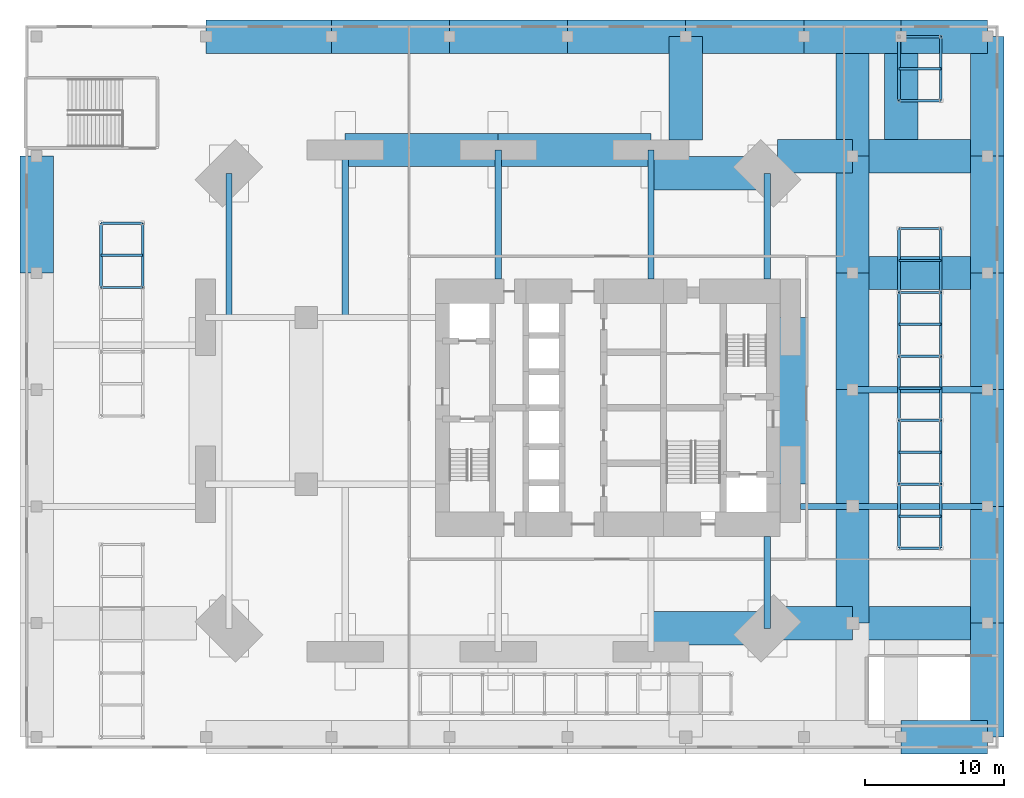
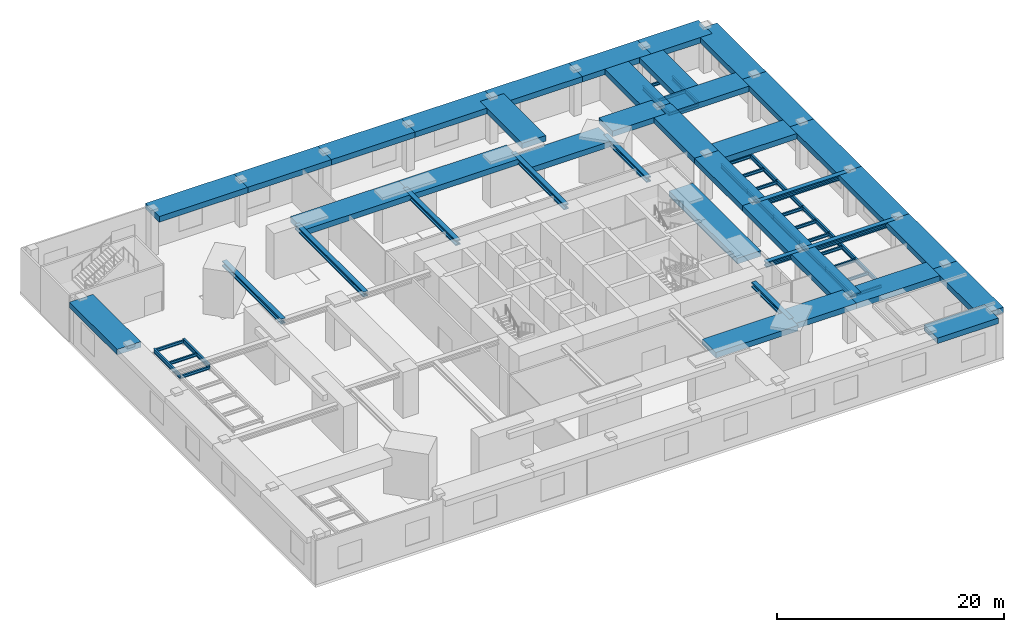
# One storey, part 2 of 17: 72 beams.
"""IFC4 building model written with IfcOpenShell, lengths in metres."""

from ifc_helpers import new_model, si_unit, direction, frame, origin, origin_2d, place, context, subcontext, project, spatial, rectangle, i_section, extrude, material, material_profile, profile_set, type_object, element, save


model = new_model("IFC4")

# Units and contexts
model_context = context("Model", 3, precision=1e-05, world=origin(), true_north=direction((0.0, 1.0)))
body_context = subcontext(model_context, "Body", "Model", "MODEL_VIEW")
ifc_project = project(units=[si_unit("LENGTHUNIT", "METRE"), si_unit("AREAUNIT", "SQUARE_METRE"), si_unit("VOLUMEUNIT", "CUBIC_METRE"), si_unit("PLANEANGLEUNIT", "RADIAN"), si_unit("MASSUNIT", "GRAM", prefix="KILO")], contexts=[model_context])

# Site, building, storey
site_placement = place(None, origin())
site = spatial("IfcSite", under=ifc_project, at=site_placement, CompositionType="ELEMENT")
building_placement = place(site_placement, origin())
building = spatial("IfcBuilding", under=site, at=building_placement, Name="Jalousie Tower", CompositionType="ELEMENT")
storey_placement = place(building_placement, frame((0.0, 0.0, 16.0)))
storey = spatial("IfcBuildingStorey", under=building, at=storey_placement, Name="L03", CompositionType="ELEMENT", Elevation=16.0)

# Beams
ifc_material_1 = material(Name="Steel ASTM A992 Grade 50", Category="steel")
ifc_material_profile_1 = material_profile(ifc_material_1, i_section(OverallWidth=0.45458984375, OverallDepth=0.569091796875, WebThickness=0.077880859375, FlangeThickness=0.124755859375, at=origin_2d()), Name="W14X730")
ifc_profile_set_1 = profile_set([ifc_material_profile_1], Name="Steel ASTM A992 Grade 50")
beam_type_1 = type_object("IfcBeamType", Name="LEAN COLLECTOR W14X730", PredefinedType="BEAM", material=ifc_profile_set_1)
for number, where, z_axis, x_axis, name in (
    (1, (24.0, 37.050048828125, 4.435546875), (0.0, -1.0, 0.0), (1.0, 0.0, 0.0), "Lean collector under L04"),
    (2, (35.0, 37.050048828125, 4.435546875), (0.0, -1.0, 0.0), (1.0, 0.0, 0.0), "Lean collector under L04"),
):
    element("IfcBeam", number, at=place(storey_placement, frame(where, z_axis=z_axis, x_axis=x_axis)), inside=storey, type_object=beam_type_1, Name=name, PredefinedType="BEAM", context=body_context, shape_type="SweptSolid", body=[
        extrude(i_section(OverallWidth=0.45458984375, OverallDepth=0.569091796875, WebThickness=0.077880859375, FlangeThickness=0.124755859375, at=origin_2d()), origin(), (0.0, 0.0, 1.0), 9.300048828125),
    ])
beam_1_placement = place(storey_placement, frame((43.36865234375, 2.63134765625, 4.435546875), z_axis=(0.0, 1.0, 0.0), x_axis=(-1.0, 0.0, 0.0)))
element("IfcBeam", 3, at=beam_1_placement, inside=storey, type_object=beam_type_1, Name="Lean collector under L04", PredefinedType="BEAM", context=body_context, shape_type="SweptSolid", body=[
    extrude(i_section(OverallWidth=0.45458984375, OverallDepth=0.569091796875, WebThickness=0.077880859375, FlangeThickness=0.124755859375, at=origin_2d()), origin(), (0.0, 0.0, 1.0), 6.61865234375),
])
beam_2_placement = place(storey_placement, frame((43.36865234375, 35.36865234375, 4.435546875), z_axis=(0.0, -1.0, 0.0), x_axis=(1.0, 0.0, 0.0)))
element("IfcBeam", 4, at=beam_2_placement, inside=storey, type_object=beam_type_1, Name="Lean collector under L04", PredefinedType="BEAM", context=body_context, shape_type="SweptSolid", body=[
    extrude(i_section(OverallWidth=0.45458984375, OverallDepth=0.569091796875, WebThickness=0.077880859375, FlangeThickness=0.124755859375, at=origin_2d()), origin(), (0.0, 0.0, 1.0), 7.61865234375),
])
beam_3_placement = place(storey_placement, frame((4.63134765625, 35.36865234375, 4.435546875), z_axis=(0.0, -1.0, 0.0), x_axis=(1.0, 0.0, 0.0)))
element("IfcBeam", 5, at=beam_3_placement, inside=storey, type_object=beam_type_1, Name="Lean collector under L04", PredefinedType="BEAM", context=body_context, shape_type="SweptSolid", body=[
    extrude(i_section(OverallWidth=0.45458984375, OverallDepth=0.569091796875, WebThickness=0.077880859375, FlangeThickness=0.124755859375, at=origin_2d()), origin(), (0.0, 0.0, 1.0), 10.36865234375),
])
beam_4_placement = place(storey_placement, frame((13.0, 37.050048828125, 4.435546875), z_axis=(0.0, -1.0, 0.0), x_axis=(1.0, 0.0, 0.0)))
element("IfcBeam", 6, at=beam_4_placement, inside=storey, type_object=beam_type_1, Name="Lean collector under L04", PredefinedType="BEAM", context=body_context, shape_type="SweptSolid", body=[
    extrude(i_section(OverallWidth=0.45458984375, OverallDepth=0.569091796875, WebThickness=0.077880859375, FlangeThickness=0.124755859375, at=origin_2d()), origin(), (0.0, 0.0, 1.0), 12.050048828125),
])
beam_5_placement = place(storey_placement, frame((49.5, 11.39990234375, 4.435546875), z_axis=(1.0, 0.0, 0.0), x_axis=(0.0, 1.0, 0.0)))
element("IfcBeam", 7, at=beam_5_placement, inside=storey, type_object=beam_type_1, Name="Lean collector under L04", PredefinedType="BEAM", context=body_context, shape_type="SweptSolid", body=[
    extrude(i_section(OverallWidth=0.45458984375, OverallDepth=0.569091796875, WebThickness=0.077880859375, FlangeThickness=0.124755859375, at=origin_2d()), origin(), (0.0, 0.0, 1.0), 9.699951171875),
])
beam_6_placement = place(storey_placement, frame((49.5, 11.39990234375, 4.435546875), z_axis=(-1.0, 0.0, 0.0), x_axis=(0.0, -1.0, 0.0)))
element("IfcBeam", 8, at=beam_6_placement, inside=storey, type_object=beam_type_1, Name="Lean collector under L04", PredefinedType="BEAM", context=body_context, shape_type="SweptSolid", body=[
    extrude(i_section(OverallWidth=0.45458984375, OverallDepth=0.569091796875, WebThickness=0.077880859375, FlangeThickness=0.124755859375, at=origin_2d()), origin(), (0.0, 0.0, 1.0), 3.72509765625),
])
beam_7_placement = place(storey_placement, frame((49.5, 19.800048828125, 4.435546875), z_axis=(1.0, 0.0, 0.0), x_axis=(0.0, 1.0, 0.0)))
element("IfcBeam", 9, at=beam_7_placement, inside=storey, type_object=beam_type_1, Name="Lean collector under L04", PredefinedType="BEAM", context=body_context, shape_type="SweptSolid", body=[
    extrude(i_section(OverallWidth=0.45458984375, OverallDepth=0.569091796875, WebThickness=0.077880859375, FlangeThickness=0.124755859375, at=origin_2d()), origin(), (0.0, 0.0, 1.0), 9.699951171875),
])
ifc_material_2 = material(Name="Steel ASTM A992 Grade 50", Category="steel")
ifc_material_profile_2 = material_profile(ifc_material_2, i_section(OverallWidth=0.164794921875, OverallDepth=0.309814453125, WebThickness=0.005859375, FlangeThickness=0.009765625, at=origin_2d()), Name="W12X26")
ifc_profile_set_2 = profile_set([ifc_material_profile_2], Name="Steel ASTM A992 Grade 50")
beam_type_2 = type_object("IfcBeamType", Name="PLANT SUPPORT BEAM W12X26", PredefinedType="BEAM", material=ifc_profile_set_2)
for number, where, z_axis, x_axis, name in (
    (10, (-4.574951171875, 27.155517578125, 0.35498046875), (1.0, 0.0, 0.0), (0.0, 1.0, 0.0), "Plant support cross beam Mechanical plant room L03"),
    (11, (-4.574951171875, 29.466796875, 0.35498046875), (1.0, 0.0, 0.0), (0.0, 1.0, 0.0), "Plant support cross beam Mechanical plant room L03"),
    (12, (-4.574951171875, 31.77783203125, 0.35498046875), (1.0, 0.0, 0.0), (0.0, 1.0, 0.0), "Plant support cross beam Mechanical plant room L03"),
    (13, (52.85009765625, 8.39990234375, 0.35498046875), (1.0, 0.0, 0.0), (0.0, 1.0, 0.0), "Plant support cross beam Air handling plant room L03"),
    (14, (52.85009765625, 10.699951171875, 0.35498046875), (1.0, 0.0, 0.0), (0.0, 1.0, 0.0), "Plant support cross beam Air handling plant room L03"),
    (15, (52.85009765625, 13.0, 0.35498046875), (1.0, 0.0, 0.0), (0.0, 1.0, 0.0), "Plant support cross beam Air handling plant room L03"),
    (16, (52.85009765625, 15.300048828125, 0.35498046875), (1.0, 0.0, 0.0), (0.0, 1.0, 0.0), "Plant support cross beam Air handling plant room L03"),
    (17, (52.85009765625, 17.60009765625, 0.35498046875), (1.0, 0.0, 0.0), (0.0, 1.0, 0.0), "Plant support cross beam Air handling plant room L03"),
    (18, (52.85009765625, 19.89990234375, 0.35498046875), (1.0, 0.0, 0.0), (0.0, 1.0, 0.0), "Plant support cross beam Air handling plant room L03"),
    (19, (52.85009765625, 22.199951171875, 0.35498046875), (1.0, 0.0, 0.0), (0.0, 1.0, 0.0), "Plant support cross beam Air handling plant room L03"),
    (20, (52.85009765625, 24.5, 0.35498046875), (1.0, 0.0, 0.0), (0.0, 1.0, 0.0), "Plant support cross beam Air handling plant room L03"),
    (21, (52.85009765625, 26.800048828125, 0.35498046875), (1.0, 0.0, 0.0), (0.0, 1.0, 0.0), "Plant support cross beam Air handling plant room L03"),
    (22, (52.85009765625, 29.10009765625, 0.35498046875), (1.0, 0.0, 0.0), (0.0, 1.0, 0.0), "Plant support cross beam Air handling plant room L03"),
    (23, (52.85009765625, 31.39990234375, 0.35498046875), (1.0, 0.0, 0.0), (0.0, 1.0, 0.0), "Plant support cross beam Air handling plant room L03"),
    (24, (52.85009765625, 40.60009765625, 0.35498046875), (1.0, 0.0, 0.0), (0.0, 1.0, 0.0), "Plant support cross beam Air handling plant room L03"),
    (25, (52.85009765625, 42.89990234375, 0.35498046875), (1.0, 0.0, 0.0), (0.0, 1.0, 0.0), "Plant support cross beam Air handling plant room L03"),
    (26, (52.85009765625, 45.199951171875, 0.35498046875), (1.0, 0.0, 0.0), (0.0, 1.0, 0.0), "Plant support cross beam Air handling plant room L03"),
):
    element("IfcBeam", number, at=place(storey_placement, frame(where, z_axis=z_axis, x_axis=x_axis)), inside=storey, type_object=beam_type_2, Name=name, PredefinedType="BEAM", context=body_context, shape_type="SweptSolid", body=[
        extrude(i_section(OverallWidth=0.164794921875, OverallDepth=0.309814453125, WebThickness=0.005859375, FlangeThickness=0.009765625, at=origin_2d()), origin(), (0.0, 0.0, 1.0), 3.0),
    ])
ifc_material_3 = material(Name="Steel ASTM A992 Grade 50", Category="steel")
ifc_material_profile_3 = material_profile(ifc_material_3, i_section(OverallWidth=0.1904296875, OverallDepth=0.457275390625, WebThickness=0.009033203125, FlangeThickness=0.014404296875, at=origin_2d()), Name="W18X50")
ifc_profile_set_3 = profile_set([ifc_material_profile_3], Name="Steel ASTM A992 Grade 50")
beam_type_3 = type_object("IfcBeamType", Name="PLANT SUPPORT BEAM W18X50", PredefinedType="BEAM", material=ifc_profile_set_3)
for number, where, z_axis, x_axis, name in (
    (27, (-4.574951171875, 27.155517578125, 0.4287109375), (0.0, 1.0, 0.0), (-1.0, 0.0, 0.0), "Plant support runner Mechanical plant room L03"),
    (28, (-1.574951171875, 27.155517578125, 0.4287109375), (0.0, 1.0, 0.0), (-1.0, 0.0, 0.0), "Plant support runner Mechanical plant room L03"),
):
    element("IfcBeam", number, at=place(storey_placement, frame(where, z_axis=z_axis, x_axis=x_axis)), inside=storey, type_object=beam_type_3, Name=name, PredefinedType="BEAM", context=body_context, shape_type="SweptSolid", body=[
        extrude(i_section(OverallWidth=0.1904296875, OverallDepth=0.457275390625, WebThickness=0.009033203125, FlangeThickness=0.014404296875, at=origin_2d()), origin(), (0.0, 0.0, 1.0), 4.622314453125),
    ])
for number, where, z_axis, x_axis, name in (
    (29, (52.85009765625, 8.39990234375, 0.4287109375), (0.0, 1.0, 0.0), (-1.0, 0.0, 0.0), "Plant support runner Air handling plant room L03"),
    (30, (52.85009765625, 13.0, 0.4287109375), (0.0, 1.0, 0.0), (-1.0, 0.0, 0.0), "Plant support runner Air handling plant room L03"),
):
    element("IfcBeam", number, at=place(storey_placement, frame(where, z_axis=z_axis, x_axis=x_axis)), inside=storey, type_object=beam_type_3, Name=name, PredefinedType="BEAM", context=body_context, shape_type="SweptSolid", body=[
        extrude(i_section(OverallWidth=0.1904296875, OverallDepth=0.457275390625, WebThickness=0.009033203125, FlangeThickness=0.014404296875, at=origin_2d()), origin(), (0.0, 0.0, 1.0), 4.60009765625),
    ])
beam_8_placement = place(storey_placement, frame((52.85009765625, 17.60009765625, 0.4287109375), z_axis=(0.0, 1.0, 0.0), x_axis=(-1.0, 0.0, 0.0)))
element("IfcBeam", 31, at=beam_8_placement, inside=storey, type_object=beam_type_3, Name="Plant support runner Air handling plant room L03", PredefinedType="BEAM", context=body_context, shape_type="SweptSolid", body=[
    extrude(i_section(OverallWidth=0.1904296875, OverallDepth=0.457275390625, WebThickness=0.009033203125, FlangeThickness=0.014404296875, at=origin_2d()), origin(), (0.0, 0.0, 1.0), 4.599853515625),
])
beam_9_placement = place(storey_placement, frame((52.85009765625, 22.199951171875, 0.4287109375), z_axis=(0.0, 1.0, 0.0), x_axis=(-1.0, 0.0, 0.0)))
element("IfcBeam", 32, at=beam_9_placement, inside=storey, type_object=beam_type_3, Name="Plant support runner Air handling plant room L03", PredefinedType="BEAM", context=body_context, shape_type="SweptSolid", body=[
    extrude(i_section(OverallWidth=0.1904296875, OverallDepth=0.457275390625, WebThickness=0.009033203125, FlangeThickness=0.014404296875, at=origin_2d()), origin(), (0.0, 0.0, 1.0), 4.60009765625),
])
beam_10_placement = place(storey_placement, frame((52.85009765625, 26.800048828125, 0.4287109375), z_axis=(0.0, 1.0, 0.0), x_axis=(-1.0, 0.0, 0.0)))
element("IfcBeam", 33, at=beam_10_placement, inside=storey, type_object=beam_type_3, Name="Plant support runner Air handling plant room L03", PredefinedType="BEAM", context=body_context, shape_type="SweptSolid", body=[
    extrude(i_section(OverallWidth=0.1904296875, OverallDepth=0.457275390625, WebThickness=0.009033203125, FlangeThickness=0.014404296875, at=origin_2d()), origin(), (0.0, 0.0, 1.0), 4.599853515625),
])
for number, where, z_axis, x_axis, name in (
    (34, (55.85009765625, 8.39990234375, 0.4287109375), (0.0, 1.0, 0.0), (-1.0, 0.0, 0.0), "Plant support runner Air handling plant room L03"),
    (35, (55.85009765625, 13.0, 0.4287109375), (0.0, 1.0, 0.0), (-1.0, 0.0, 0.0), "Plant support runner Air handling plant room L03"),
):
    element("IfcBeam", number, at=place(storey_placement, frame(where, z_axis=z_axis, x_axis=x_axis)), inside=storey, type_object=beam_type_3, Name=name, PredefinedType="BEAM", context=body_context, shape_type="SweptSolid", body=[
        extrude(i_section(OverallWidth=0.1904296875, OverallDepth=0.457275390625, WebThickness=0.009033203125, FlangeThickness=0.014404296875, at=origin_2d()), origin(), (0.0, 0.0, 1.0), 4.60009765625),
    ])
beam_11_placement = place(storey_placement, frame((55.85009765625, 17.60009765625, 0.4287109375), z_axis=(0.0, 1.0, 0.0), x_axis=(-1.0, 0.0, 0.0)))
element("IfcBeam", 36, at=beam_11_placement, inside=storey, type_object=beam_type_3, Name="Plant support runner Air handling plant room L03", PredefinedType="BEAM", context=body_context, shape_type="SweptSolid", body=[
    extrude(i_section(OverallWidth=0.1904296875, OverallDepth=0.457275390625, WebThickness=0.009033203125, FlangeThickness=0.014404296875, at=origin_2d()), origin(), (0.0, 0.0, 1.0), 4.599853515625),
])
beam_12_placement = place(storey_placement, frame((55.85009765625, 22.199951171875, 0.4287109375), z_axis=(0.0, 1.0, 0.0), x_axis=(-1.0, 0.0, 0.0)))
element("IfcBeam", 37, at=beam_12_placement, inside=storey, type_object=beam_type_3, Name="Plant support runner Air handling plant room L03", PredefinedType="BEAM", context=body_context, shape_type="SweptSolid", body=[
    extrude(i_section(OverallWidth=0.1904296875, OverallDepth=0.457275390625, WebThickness=0.009033203125, FlangeThickness=0.014404296875, at=origin_2d()), origin(), (0.0, 0.0, 1.0), 4.60009765625),
])
for number, where, z_axis, x_axis, name in (
    (38, (55.85009765625, 26.800048828125, 0.4287109375), (0.0, 1.0, 0.0), (-1.0, 0.0, 0.0), "Plant support runner Air handling plant room L03"),
    (39, (52.85009765625, 40.60009765625, 0.4287109375), (0.0, 1.0, 0.0), (-1.0, 0.0, 0.0), "Plant support runner Air handling plant room L03"),
    (40, (55.85009765625, 40.60009765625, 0.4287109375), (0.0, 1.0, 0.0), (-1.0, 0.0, 0.0), "Plant support runner Air handling plant room L03"),
):
    element("IfcBeam", number, at=place(storey_placement, frame(where, z_axis=z_axis, x_axis=x_axis)), inside=storey, type_object=beam_type_3, Name=name, PredefinedType="BEAM", context=body_context, shape_type="SweptSolid", body=[
        extrude(i_section(OverallWidth=0.1904296875, OverallDepth=0.457275390625, WebThickness=0.009033203125, FlangeThickness=0.014404296875, at=origin_2d()), origin(), (0.0, 0.0, 1.0), 4.599853515625),
    ])
ifc_material_4 = material(Name="Concrete f'c 40 MPa", Category="concrete")
ifc_material_profile_4 = material_profile(ifc_material_4, rectangle(XDim=2.39990234375, YDim=0.60009765625, at=origin_2d()), Name="RC 2400x600")
ifc_profile_set_4 = profile_set([ifc_material_profile_4], Name="Concrete f'c 40 MPa")
beam_type_4 = type_object("IfcBeamType", Name="RC BEAM 2400x600", PredefinedType="BEAM", material=ifc_profile_set_4)
beam_13_placement = place(storey_placement, frame((45.050048828125, 13.0, 4.419921875), z_axis=(0.0, 1.0, 0.0), x_axis=(-1.0, 0.0, 0.0)))
element("IfcBeam", 41, at=beam_13_placement, inside=storey, type_object=beam_type_4, Name="Floor band beam under L04", PredefinedType="BEAM", context=body_context, shape_type="SweptSolid", body=[
    extrude(rectangle(XDim=2.39990234375, YDim=0.60009765625, at=origin_2d()), origin(), (0.0, 0.0, 1.0), 12.0),
])
for number, where, z_axis, x_axis, name in (
    (42, (35.0, 37.050048828125, 4.419921875), (-1.0, 0.0, 0.0), (0.0, -1.0, 0.0), "Floor band beam under L04"),
    (43, (24.0, 37.050048828125, 4.419921875), (-1.0, 0.0, 0.0), (0.0, -1.0, 0.0), "Floor band beam under L04"),
):
    element("IfcBeam", number, at=place(storey_placement, frame(where, z_axis=z_axis, x_axis=x_axis)), inside=storey, type_object=beam_type_4, Name=name, PredefinedType="BEAM", context=body_context, shape_type="SweptSolid", body=[
        extrude(rectangle(XDim=2.39990234375, YDim=0.60009765625, at=origin_2d()), origin(), (0.0, 0.0, 1.0), 11.0),
    ])
for number, where, z_axis, x_axis, name in (
    (44, (43.36865234375, 2.63134765625, 4.419921875), (-1.0, 0.0, 0.0), (0.0, -1.0, 0.0), "Floor band beam under L04"),
    (45, (43.36865234375, 35.36865234375, 4.419921875), (-1.0, 0.0, 0.0), (0.0, -1.0, 0.0), "Floor band beam under L04"),
):
    element("IfcBeam", number, at=place(storey_placement, frame(where, z_axis=z_axis, x_axis=x_axis)), inside=storey, type_object=beam_type_4, Name=name, PredefinedType="BEAM", context=body_context, shape_type="SweptSolid", body=[
        extrude(rectangle(XDim=2.39990234375, YDim=0.60009765625, at=origin_2d()), origin(), (0.0, 0.0, 1.0), 8.36865234375),
    ])
beam_14_placement = place(storey_placement, frame((-9.199951171875, 28.199951171875, 4.419921875), z_axis=(0.0, 1.0, 0.0), x_axis=(-1.0, 0.0, 0.0)))
element("IfcBeam", 46, at=beam_14_placement, inside=storey, type_object=beam_type_4, Name="Floor band beam under L04", PredefinedType="BEAM", context=body_context, shape_type="SweptSolid", body=[
    extrude(rectangle(XDim=2.39990234375, YDim=0.60009765625, at=origin_2d()), origin(), (0.0, 0.0, 1.0), 8.400146484375),
])
beam_15_placement = place(storey_placement, frame((3.0, 45.199951171875, 4.419921875), z_axis=(1.0, 0.0, 0.0), x_axis=(0.0, 1.0, 0.0)))
element("IfcBeam", 47, at=beam_15_placement, inside=storey, type_object=beam_type_4, Name="Floor band beam under L04", PredefinedType="BEAM", context=body_context, shape_type="SweptSolid", body=[
    extrude(rectangle(XDim=2.39990234375, YDim=0.60009765625, at=origin_2d()), origin(), (0.0, 0.0, 1.0), 9.0),
])
for number, where, z_axis, x_axis, name in (
    (48, (12.0, 45.199951171875, 4.419921875), (1.0, 0.0, 0.0), (0.0, 1.0, 0.0), "Floor band beam under L04"),
    (49, (20.5, 45.199951171875, 4.419921875), (1.0, 0.0, 0.0), (0.0, 1.0, 0.0), "Floor band beam under L04"),
    (50, (29.0, 45.199951171875, 4.419921875), (1.0, 0.0, 0.0), (0.0, 1.0, 0.0), "Floor band beam under L04"),
    (51, (37.5, 45.199951171875, 4.419921875), (1.0, 0.0, 0.0), (0.0, 1.0, 0.0), "Floor band beam under L04"),
):
    element("IfcBeam", number, at=place(storey_placement, frame(where, z_axis=z_axis, x_axis=x_axis)), inside=storey, type_object=beam_type_4, Name=name, PredefinedType="BEAM", context=body_context, shape_type="SweptSolid", body=[
        extrude(rectangle(XDim=2.39990234375, YDim=0.60009765625, at=origin_2d()), origin(), (0.0, 0.0, 1.0), 8.5),
    ])
beam_16_placement = place(storey_placement, frame((46.0, 45.199951171875, 4.419921875), z_axis=(1.0, 0.0, 0.0), x_axis=(0.0, 1.0, 0.0)))
element("IfcBeam", 52, at=beam_16_placement, inside=storey, type_object=beam_type_4, Name="Floor band beam under L04", PredefinedType="BEAM", context=body_context, shape_type="SweptSolid", body=[
    extrude(rectangle(XDim=2.39990234375, YDim=0.60009765625, at=origin_2d()), origin(), (0.0, 0.0, 1.0), 7.0),
])
beam_17_placement = place(storey_placement, frame((49.5, 3.0, 4.419921875), z_axis=(1.0, 0.0, 0.0), x_axis=(0.0, 1.0, 0.0)))
element("IfcBeam", 53, at=beam_17_placement, inside=storey, type_object=beam_type_4, Name="Floor band beam under L04", PredefinedType="BEAM", context=body_context, shape_type="SweptSolid", body=[
    extrude(rectangle(XDim=2.39990234375, YDim=0.60009765625, at=origin_2d()), origin(), (0.0, 0.0, 1.0), 9.699951171875),
])
beam_18_placement = place(storey_placement, frame((49.5, 3.0, 4.419921875), z_axis=(0.0, 1.0, 0.0), x_axis=(-1.0, 0.0, 0.0)))
element("IfcBeam", 54, at=beam_18_placement, inside=storey, type_object=beam_type_4, Name="Floor band beam under L04", PredefinedType="BEAM", context=body_context, shape_type="SweptSolid", body=[
    extrude(rectangle(XDim=2.39990234375, YDim=0.60009765625, at=origin_2d()), origin(), (0.0, 0.0, 1.0), 8.39990234375),
])
beam_19_placement = place(storey_placement, frame((49.5, 11.39990234375, 4.419921875), z_axis=(0.0, 1.0, 0.0), x_axis=(-1.0, 0.0, 0.0)))
element("IfcBeam", 55, at=beam_19_placement, inside=storey, type_object=beam_type_4, Name="Floor band beam under L04", PredefinedType="BEAM", context=body_context, shape_type="SweptSolid", body=[
    extrude(rectangle(XDim=2.39990234375, YDim=0.60009765625, at=origin_2d()), origin(), (0.0, 0.0, 1.0), 8.400146484375),
])
beam_20_placement = place(storey_placement, frame((49.5, 19.800048828125, 4.419921875), z_axis=(0.0, 1.0, 0.0), x_axis=(-1.0, 0.0, 0.0)))
element("IfcBeam", 56, at=beam_20_placement, inside=storey, type_object=beam_type_4, Name="Floor band beam under L04", PredefinedType="BEAM", context=body_context, shape_type="SweptSolid", body=[
    extrude(rectangle(XDim=2.39990234375, YDim=0.60009765625, at=origin_2d()), origin(), (0.0, 0.0, 1.0), 8.39990234375),
])
beam_21_placement = place(storey_placement, frame((49.5, 28.199951171875, 4.419921875), z_axis=(1.0, 0.0, 0.0), x_axis=(0.0, 1.0, 0.0)))
element("IfcBeam", 57, at=beam_21_placement, inside=storey, type_object=beam_type_4, Name="Floor band beam under L04", PredefinedType="BEAM", context=body_context, shape_type="SweptSolid", body=[
    extrude(rectangle(XDim=2.39990234375, YDim=0.60009765625, at=origin_2d()), origin(), (0.0, 0.0, 1.0), 9.699951171875),
])
beam_22_placement = place(storey_placement, frame((49.5, 28.199951171875, 4.419921875), z_axis=(0.0, 1.0, 0.0), x_axis=(-1.0, 0.0, 0.0)))
element("IfcBeam", 58, at=beam_22_placement, inside=storey, type_object=beam_type_4, Name="Floor band beam under L04", PredefinedType="BEAM", context=body_context, shape_type="SweptSolid", body=[
    extrude(rectangle(XDim=2.39990234375, YDim=0.60009765625, at=origin_2d()), origin(), (0.0, 0.0, 1.0), 8.400146484375),
])
beam_23_placement = place(storey_placement, frame((49.5, 36.60009765625, 4.419921875), z_axis=(1.0, 0.0, 0.0), x_axis=(0.0, 1.0, 0.0)))
element("IfcBeam", 59, at=beam_23_placement, inside=storey, type_object=beam_type_4, Name="Floor band beam under L04", PredefinedType="BEAM", context=body_context, shape_type="SweptSolid", body=[
    extrude(rectangle(XDim=2.39990234375, YDim=0.60009765625, at=origin_2d()), origin(), (0.0, 0.0, 1.0), 9.699951171875),
])
for number, where, z_axis, x_axis, name in (
    (60, (53.0, -5.199951171875, 4.419921875), (1.0, 0.0, 0.0), (0.0, 1.0, 0.0), "Floor band beam under L04"),
    (61, (53.0, 45.199951171875, 4.419921875), (1.0, 0.0, 0.0), (0.0, 1.0, 0.0), "Floor band beam under L04"),
):
    element("IfcBeam", number, at=place(storey_placement, frame(where, z_axis=z_axis, x_axis=x_axis)), inside=storey, type_object=beam_type_4, Name=name, PredefinedType="BEAM", context=body_context, shape_type="SweptSolid", body=[
        extrude(rectangle(XDim=2.39990234375, YDim=0.60009765625, at=origin_2d()), origin(), (0.0, 0.0, 1.0), 6.199951171875),
    ])
beam_24_placement = place(storey_placement, frame((59.199951171875, -5.199951171875, 4.419921875), z_axis=(0.0, 1.0, 0.0), x_axis=(-1.0, 0.0, 0.0)))
element("IfcBeam", 62, at=beam_24_placement, inside=storey, type_object=beam_type_4, Name="Floor band beam under L04", PredefinedType="BEAM", context=body_context, shape_type="SweptSolid", body=[
    extrude(rectangle(XDim=2.39990234375, YDim=0.60009765625, at=origin_2d()), origin(), (0.0, 0.0, 1.0), 8.199951171875),
])
beam_25_placement = place(storey_placement, frame((59.199951171875, 3.0, 4.419921875), z_axis=(0.0, 1.0, 0.0), x_axis=(-1.0, 0.0, 0.0)))
element("IfcBeam", 63, at=beam_25_placement, inside=storey, type_object=beam_type_4, Name="Floor band beam under L04", PredefinedType="BEAM", context=body_context, shape_type="SweptSolid", body=[
    extrude(rectangle(XDim=2.39990234375, YDim=0.60009765625, at=origin_2d()), origin(), (0.0, 0.0, 1.0), 8.39990234375),
])
beam_26_placement = place(storey_placement, frame((59.199951171875, 11.39990234375, 4.419921875), z_axis=(0.0, 1.0, 0.0), x_axis=(-1.0, 0.0, 0.0)))
element("IfcBeam", 64, at=beam_26_placement, inside=storey, type_object=beam_type_4, Name="Floor band beam under L04", PredefinedType="BEAM", context=body_context, shape_type="SweptSolid", body=[
    extrude(rectangle(XDim=2.39990234375, YDim=0.60009765625, at=origin_2d()), origin(), (0.0, 0.0, 1.0), 8.400146484375),
])
beam_27_placement = place(storey_placement, frame((59.199951171875, 19.800048828125, 4.419921875), z_axis=(0.0, 1.0, 0.0), x_axis=(-1.0, 0.0, 0.0)))
element("IfcBeam", 65, at=beam_27_placement, inside=storey, type_object=beam_type_4, Name="Floor band beam under L04", PredefinedType="BEAM", context=body_context, shape_type="SweptSolid", body=[
    extrude(rectangle(XDim=2.39990234375, YDim=0.60009765625, at=origin_2d()), origin(), (0.0, 0.0, 1.0), 8.39990234375),
])
beam_28_placement = place(storey_placement, frame((59.199951171875, 28.199951171875, 4.419921875), z_axis=(0.0, 1.0, 0.0), x_axis=(-1.0, 0.0, 0.0)))
element("IfcBeam", 66, at=beam_28_placement, inside=storey, type_object=beam_type_4, Name="Floor band beam under L04", PredefinedType="BEAM", context=body_context, shape_type="SweptSolid", body=[
    extrude(rectangle(XDim=2.39990234375, YDim=0.60009765625, at=origin_2d()), origin(), (0.0, 0.0, 1.0), 8.400146484375),
])
beam_29_placement = place(storey_placement, frame((59.199951171875, 36.60009765625, 4.419921875), z_axis=(0.0, 1.0, 0.0), x_axis=(-1.0, 0.0, 0.0)))
element("IfcBeam", 67, at=beam_29_placement, inside=storey, type_object=beam_type_4, Name="Floor band beam under L04", PredefinedType="BEAM", context=body_context, shape_type="SweptSolid", body=[
    extrude(rectangle(XDim=2.39990234375, YDim=0.60009765625, at=origin_2d()), origin(), (0.0, 0.0, 1.0), 8.599853515625),
])
beam_30_placement = place(storey_placement, frame((37.5, 45.199951171875, 4.419921875), z_axis=(0.0, -1.0, 0.0), x_axis=(1.0, 0.0, 0.0)))
element("IfcBeam", 68, at=beam_30_placement, inside=storey, type_object=beam_type_4, Name="Floor band beam under L04", PredefinedType="BEAM", context=body_context, shape_type="SweptSolid", body=[
    extrude(rectangle(XDim=2.39990234375, YDim=0.60009765625, at=origin_2d()), origin(), (0.0, 0.0, 1.0), 7.425048828125),
])
beam_31_placement = place(storey_placement, frame((49.5, 3.0, 4.419921875), z_axis=(-1.0, 0.0, 0.0), x_axis=(0.0, -1.0, 0.0)))
element("IfcBeam", 69, at=beam_31_placement, inside=storey, type_object=beam_type_4, Name="Floor band beam under L04", PredefinedType="BEAM", context=body_context, shape_type="SweptSolid", body=[
    extrude(rectangle(XDim=2.39990234375, YDim=0.60009765625, at=origin_2d()), origin(), (0.0, 0.0, 1.0), 6.13134765625),
])
beam_32_placement = place(storey_placement, frame((49.5, 36.60009765625, 4.419921875), z_axis=(-1.0, 0.0, 0.0), x_axis=(0.0, -1.0, 0.0)))
element("IfcBeam", 70, at=beam_32_placement, inside=storey, type_object=beam_type_4, Name="Floor band beam under L04", PredefinedType="BEAM", context=body_context, shape_type="SweptSolid", body=[
    extrude(rectangle(XDim=2.39990234375, YDim=0.60009765625, at=origin_2d()), origin(), (0.0, 0.0, 1.0), 5.3828125),
])
for number, where, z_axis, x_axis, name in (
    (71, (49.5, 36.60009765625, 4.419921875), (0.0, 1.0, 0.0), (-1.0, 0.0, 0.0), "Floor band beam under L04"),
    (72, (53.0, 45.199951171875, 4.419921875), (0.0, -1.0, 0.0), (1.0, 0.0, 0.0), "Floor band beam under L04"),
):
    element("IfcBeam", number, at=place(storey_placement, frame(where, z_axis=z_axis, x_axis=x_axis)), inside=storey, type_object=beam_type_4, Name=name, PredefinedType="BEAM", context=body_context, shape_type="SweptSolid", body=[
        extrude(rectangle(XDim=2.39990234375, YDim=0.60009765625, at=origin_2d()), origin(), (0.0, 0.0, 1.0), 7.39990234375),
    ])

save(model, "model.ifc")
